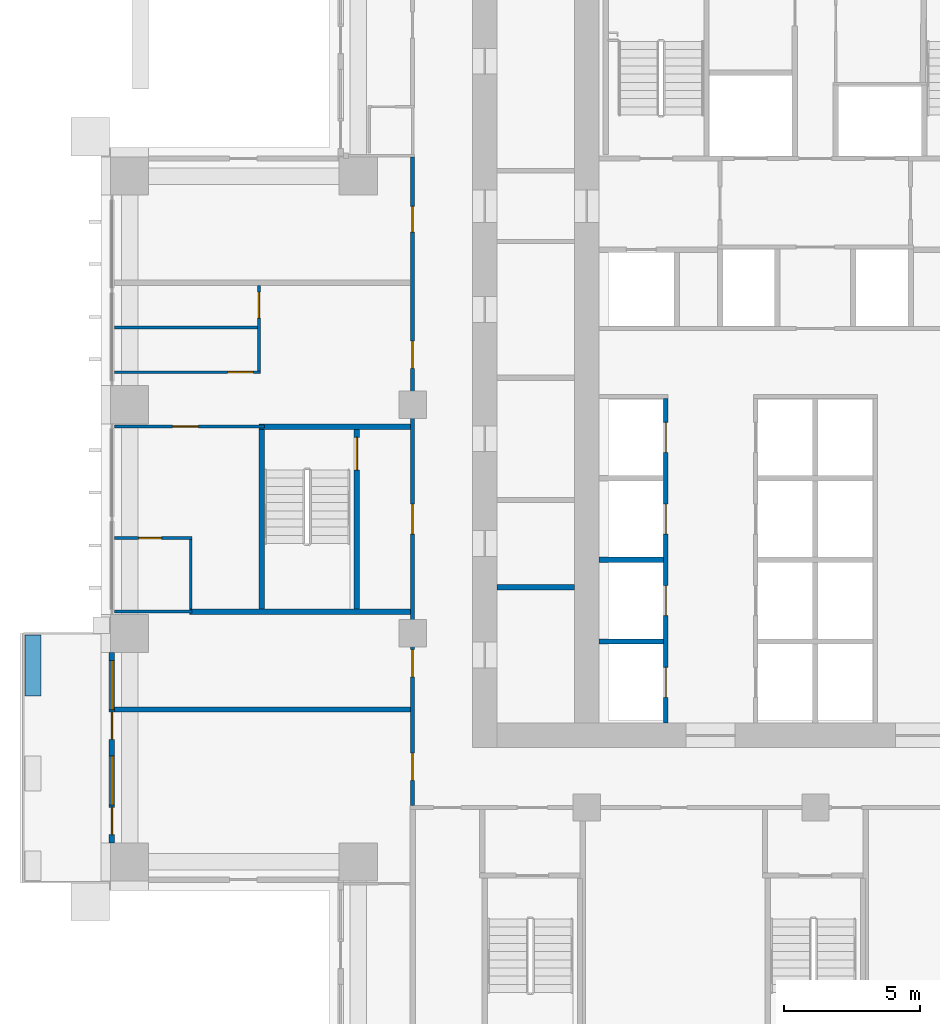
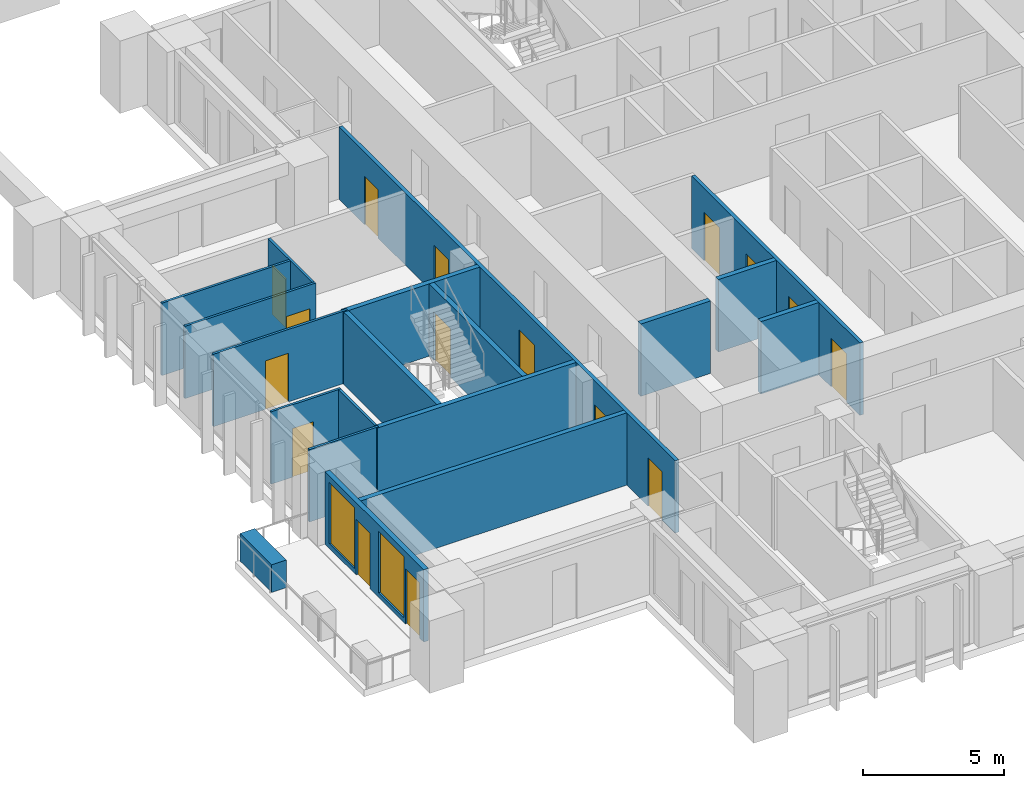
# One storey, part 8 of 18: 19 walls, 16 doors, 2 windows, 18 openings.
"""IFC4 building model written with IfcOpenShell, lengths in metres."""

import ifcopenshell
import ifcopenshell.guid

model = None  # the IFC model being written
_history = None  # IfcOwnerHistory: only IFC2X3 demands one
_inside = {}  # id of a spatial element -> (the spatial element, [elements in it])
_under = {}  # id of a project, library or spatial element -> (it, [spatial elements below it])
_declared = {}  # id of a project -> (the project, [libraries it declares])
_typed = {}  # id of a type object -> (the type object, [elements of that type])
_made_of = {}  # id of a material, layer set ... -> (it, [elements and type objects made of it])


def new_model(schema):
    """Start an empty IFC model of exactly this schema.

    Asked for "IFC4X3", IfcOpenShell would pick the latest addendum, in which some entities
    have other attributes; the version numbers below select the first issue.
    IFC2X3 requires an IfcOwnerHistory on every rooted entity: one is made here for all.
    """
    global model, _history
    if schema == "IFC4X3":
        model = ifcopenshell.file(schema_version=(4, 3, 0, 0))
    else:
        model = ifcopenshell.file(schema=schema)
    _inside.clear()
    _under.clear()
    _declared.clear()
    _typed.clear()
    _made_of.clear()
    _history = None
    if model.schema == "IFC2X3":
        org = make("IfcOrganization", Name="unknown")
        user = make(
            "IfcPersonAndOrganization",
            ThePerson=make("IfcPerson", FamilyName="unknown"),
            TheOrganization=org,
        )
        app = make(
            "IfcApplication",
            ApplicationDeveloper=org,
            Version="unknown",
            ApplicationFullName="unknown",
            ApplicationIdentifier="unknown",
        )
        _history = make(
            "IfcOwnerHistory",
            OwningUser=user,
            OwningApplication=app,
            ChangeAction="ADDED",
            CreationDate=0,
        )
    return model


def make(cls, **values):
    """One entity of the class cls with the attributes given. An attribute that is None is left unset."""
    return model.create_entity(
        cls, **{name: value for name, value in values.items() if value is not None}
    )


def rooted(cls, **values):
    """An entity with a GlobalId (a new one), such as an element, a storey or a relation."""
    return make(cls, GlobalId=ifcopenshell.guid.new(), OwnerHistory=_history, **values)


def si_unit(unit_type, name, prefix=None):
    """IfcSIUnit, for example si_unit("LENGTHUNIT", "METRE", prefix="MILLI")."""
    return make("IfcSIUnit", UnitType=unit_type, Prefix=prefix, Name=name)


def assignment(units):
    """IfcUnitAssignment: the units of a project."""
    return None if units is None else make("IfcUnitAssignment", Units=units)


def point(xyz):
    """IfcCartesianPoint."""
    return None if xyz is None else make("IfcCartesianPoint", Coordinates=xyz)


def direction(xyz):
    """IfcDirection."""
    return None if xyz is None else make("IfcDirection", DirectionRatios=xyz)


def frame(location, z_axis=None, x_axis=None):
    """IfcAxis2Placement3D, a coordinate frame: its origin and axes. An axis left out is left unset."""
    return make(
        "IfcAxis2Placement3D",
        Location=point(location),
        Axis=direction(z_axis),
        RefDirection=direction(x_axis),
    )


def frame_2d(location, x_axis=None):
    """IfcAxis2Placement2D, a coordinate frame in the plane: its origin and x axis."""
    return make(
        "IfcAxis2Placement2D", Location=point(location), RefDirection=direction(x_axis)
    )


def origin():
    """The frame at (0, 0, 0) with its axes left unset."""
    return frame((0.0, 0.0, 0.0))


def place(relative_to, where):
    """IfcLocalPlacement: puts the frame where relative to a parent placement (None: the world)."""
    return make(
        "IfcLocalPlacement", PlacementRelTo=relative_to, RelativePlacement=where
    )


def context(
    kind, dimensions, precision=None, world=None, true_north=None, identifier=None
):
    """IfcGeometricRepresentationContext, for example the 3D "Model" context."""
    return make(
        "IfcGeometricRepresentationContext",
        ContextIdentifier=identifier,
        ContextType=kind,
        CoordinateSpaceDimension=dimensions,
        Precision=precision,
        WorldCoordinateSystem=world,
        TrueNorth=true_north,
    )


def subcontext(parent, identifier, kind, view, scale=None):
    """IfcGeometricRepresentationSubContext, for example "Body" below "Model"."""
    return make(
        "IfcGeometricRepresentationSubContext",
        ContextIdentifier=identifier,
        ContextType=kind,
        ParentContext=parent,
        TargetScale=scale,
        TargetView=view,
    )


def project(units=None, contexts=None):
    """IfcProject with its units and contexts."""
    return rooted(
        "IfcProject",
        Name="project",
        RepresentationContexts=contexts,
        UnitsInContext=assignment(units),
    )


def spatial(cls, under=None, at=None, **own):
    """A site, building, storey or space (cls), placed at a placement, below another one or the project."""
    s = rooted(cls, ObjectPlacement=at, **own)
    if under is not None:
        _under.setdefault(under.id(), (under, []))[1].append(s)
    return s


def profile(cls, at=None, kind="AREA", **sizes):
    """A parametric profile (cls). Its sizes go by their IFC names, for example OverallWidth=200.0."""
    return make(cls, ProfileType=kind, Position=at, **sizes)


def rectangle(**sizes):
    """IfcRectangleProfileDef."""
    return profile("IfcRectangleProfileDef", **sizes)


def extrude(swept, where, along, depth):
    """IfcExtrudedAreaSolid: the profile swept, set in the frame where, extruded along a direction by depth."""
    return make(
        "IfcExtrudedAreaSolid",
        SweptArea=swept,
        Position=where,
        ExtrudedDirection=direction(along),
        Depth=depth,
    )


def shape(context_of_items, identifier, shape_type, items):
    """IfcShapeRepresentation: the items that make up one representation, for example the "Body"."""
    return make(
        "IfcShapeRepresentation",
        ContextOfItems=context_of_items,
        RepresentationIdentifier=identifier,
        RepresentationType=shape_type,
        Items=items,
    )


def material(Name=None, Category=None):
    """IfcMaterial."""
    return make("IfcMaterial", Name=Name, Category=Category)


def layer(
    of_material, thickness, ventilated=None, Name=None, Category=None, Priority=None
):
    """IfcMaterialLayer: one layer of a wall or slab, of a material (None: an air gap)."""
    return make(
        "IfcMaterialLayer",
        Material=of_material,
        LayerThickness=thickness,
        IsVentilated=ventilated,
        Name=Name,
        Category=Category,
        Priority=Priority,
    )


def layer_set(layers, Name=None):
    """IfcMaterialLayerSet."""
    return make("IfcMaterialLayerSet", MaterialLayers=layers, LayerSetName=Name)


def made_of(thing, what):
    """Note that an element or type object is made of a material, layer set ...; save() writes the relation."""
    if what is not None:
        _made_of.setdefault(what.id(), (what, []))[1].append(thing)
    return thing


def type_object(cls, material=None, **own):
    """A type object (cls), such as IfcWallType, which elements share."""
    return made_of(rooted(cls, **own), material)


def element(
    cls,
    number,
    at=None,
    inside=None,
    cuts=None,
    type_object=None,
    material=None,
    context=None,
    identifier="Body",
    shape_type=None,
    held_by="IfcProductDefinitionShape",
    body=None,
    shapes=None,
    **own,
):
    """One element of the class cls, such as IfcWall. Its Tag is "e" and its number.

    at: its placement. inside: the storey or other place that contains it. cuts: it is an
    opening in that element (IfcRelVoidsElement). A single representation is given by context,
    identifier, shape_type and body (its items); several are given by shapes. held_by: the class
    of the entity that holds the representations. save() writes the other relations.
    """
    e = rooted(cls, Tag="e%d" % number, ObjectPlacement=at, **own)
    if body is not None:
        shapes = [shape(context, identifier, shape_type, body)]
    if shapes is not None:
        e.Representation = make(held_by, Representations=shapes)
    if inside is not None:
        _inside.setdefault(inside.id(), (inside, []))[1].append(e)
    if cuts is not None:
        rooted(
            "IfcRelVoidsElement", RelatingBuildingElement=cuts, RelatedOpeningElement=e
        )
    if type_object is not None:
        _typed.setdefault(type_object.id(), (type_object, []))[1].append(e)
    return made_of(e, material)


def fill(opening, filler):
    """IfcRelFillsElement: the door or window that sits in an opening."""
    return rooted(
        "IfcRelFillsElement",
        RelatingOpeningElement=opening,
        RelatedBuildingElement=filler,
    )


def aggregate(whole, parts):
    """IfcRelAggregates: a whole, such as a stair, and the parts it consists of."""
    return rooted("IfcRelAggregates", RelatingObject=whole, RelatedObjects=parts)


def save(model, path):
    """Write the relations noted so far, then the file.

    IfcRelAggregates (storeys below a building ...), IfcRelContainedInSpatialStructure (elements
    in a storey), IfcRelDefinesByType, IfcRelAssociatesMaterial and IfcRelDeclares: one each for
    every whole, place, type object, material and project.
    """
    for whole, parts in _under.values():
        aggregate(whole, parts)
    for where, things in _inside.values():
        rooted(
            "IfcRelContainedInSpatialStructure",
            RelatedElements=things,
            RelatingStructure=where,
        )
    for kind, things in _typed.values():
        rooted("IfcRelDefinesByType", RelatedObjects=things, RelatingType=kind)
    for what, things in _made_of.values():
        rooted("IfcRelAssociatesMaterial", RelatedObjects=things, RelatingMaterial=what)
    for by, libraries in _declared.values():
        rooted("IfcRelDeclares", RelatingContext=by, RelatedDefinitions=libraries)
    model.write(path)


model = new_model("IFC4")

# Units and contexts
model_context = context("Model", 3, precision=1e-05, world=origin(), true_north=direction((0.0, 1.0)))
body_context = subcontext(model_context, "Body", "Model", "MODEL_VIEW")
ifc_project = project(units=[si_unit("LENGTHUNIT", "METRE"), si_unit("AREAUNIT", "SQUARE_METRE"), si_unit("VOLUMEUNIT", "CUBIC_METRE"), si_unit("PLANEANGLEUNIT", "RADIAN"), si_unit("MASSUNIT", "GRAM", prefix="KILO")], contexts=[model_context])

# Site, building, storey
site_placement = place(None, origin())
site = spatial("IfcSite", under=ifc_project, at=site_placement, CompositionType="ELEMENT")
building_placement = place(site_placement, origin())
building = spatial("IfcBuilding", under=site, at=building_placement, Name="Vermilion Ogive Tower", CompositionType="ELEMENT")
storey_placement = place(building_placement, frame((0.0, 0.0, 34.5)))
storey = spatial("IfcBuildingStorey", under=building, at=storey_placement, Name="L06", CompositionType="ELEMENT", Elevation=34.5)

# Wall
ifc_material_1 = material(Name="Gypsum board partition on steel studs", Category="steel")
ifc_layer_1 = layer(ifc_material_1, 0.10009765625)
ifc_layer_set_1 = layer_set([ifc_layer_1], Name="Partition 100 bath")
wall_type_1 = type_object("IfcWallType", Name="Partition 100 bath", PredefinedType="PARTITIONING", material=ifc_layer_set_1)
wall_1_placement = place(storey_placement, frame((-25.75, -3.39990234375, 0.0), z_axis=(0.0, 0.0, 1.0), x_axis=(1.0, 0.0, 0.0)))
element("IfcWall", 1, at=wall_1_placement, inside=storey, type_object=wall_type_1, Name="L06-W-W014", PredefinedType="PARTITIONING", context=body_context, shape_type="SweptSolid", body=[
    extrude(rectangle(XDim=2.85009765625, YDim=0.10009765625, at=frame_2d((1.425048828125, 0.0))), origin(), (0.0, 0.0, 1.0), 3.1298828125),
])

# Wall, opening, door
wall_2_placement = place(storey_placement, frame((-25.75, -0.699951171875, 0.0), z_axis=(0.0, 0.0, 1.0), x_axis=(1.0, 0.0, 0.0)))
wall_2 = element("IfcWall", 2, at=wall_2_placement, inside=storey, type_object=wall_type_1, Name="L06-W-W019", PredefinedType="PARTITIONING", context=body_context, shape_type="SweptSolid", body=[
    extrude(rectangle(XDim=2.85009765625, YDim=0.10009765625, at=frame_2d((1.425048828125, 0.0))), origin(), (0.0, 0.0, 1.0), 3.1298828125),
])
opening_1_placement = place(wall_2_placement, frame((0.875, 0.0, 0.0)))
opening_1 = element("IfcOpeningElement", 3, at=opening_1_placement, cuts=wall_2, Name="Opening D1G1008", PredefinedType="OPENING", context=body_context, shape_type="SweptSolid", body=[
    extrude(rectangle(XDim=0.85009765625, YDim=2.10009765625, at=frame_2d((0.425048828125, 1.050048828125))), frame((0.0, 0.06005859375, 0.0), z_axis=(0.0, -1.0, 0.0), x_axis=(1.0, 0.0, 0.0)), (0.0, 0.0, 1.0), 0.1201171875),
])
ifc_material_2 = material(Name="Timber door leaf", Category="wood")
door_type_1 = type_object("IfcDoorType", Name="Bath door 850 x 2100 FD30", OperationType="SINGLE_SWING_LEFT", PredefinedType="DOOR", material=ifc_material_2)
door_1_placement = place(opening_1_placement, origin())
door_1 = element("IfcDoor", 4, at=door_1_placement, inside=storey, type_object=door_type_1, Name="L06-D-D008", OperationType="SINGLE_SWING_RIGHT", OverallHeight=2.10009765625, OverallWidth=0.85009765625, PredefinedType="DOOR", context=body_context, shape_type="SweptSolid", body=[
    extrude(rectangle(XDim=0.85009765625, YDim=2.10009765625, at=frame_2d((0.425048828125, 1.050048828125))), frame((0.0, 0.02490234375, 0.0), z_axis=(0.0, -1.0, 0.0), x_axis=(1.0, 0.0, 0.0)), (0.0, 0.0, 1.0), 0.050048828125),
])
fill(opening_1, door_1)

# Wall
wall_3_placement = place(storey_placement, frame((-22.949951171875, -3.300048828125, 0.0), z_axis=(0.0, 0.0, 1.0), x_axis=(0.0, 1.0, 0.0)))
element("IfcWall", 5, at=wall_3_placement, inside=storey, type_object=wall_type_1, Name="L06-W-W035", PredefinedType="PARTITIONING", context=body_context, shape_type="SweptSolid", body=[
    extrude(rectangle(XDim=2.550048828125, YDim=0.10009765625, at=frame_2d((1.27490234375, 0.0))), origin(), (0.0, 0.0, 1.0), 3.1298828125),
])

# Wall, opening, door
ifc_material_3 = material(Name="Gypsum board partition on steel studs", Category="steel")
ifc_layer_2 = layer(ifc_material_3, 0.10009765625)
ifc_layer_set_2 = layer_set([ifc_layer_2], Name="Partition 100 inner")
wall_type_2 = type_object("IfcWallType", Name="Partition 100 inner", PredefinedType="PARTITIONING", material=ifc_layer_set_2)
wall_4_placement = place(storey_placement, frame((-25.75, 3.39990234375, 0.0), z_axis=(0.0, 0.0, 1.0), x_axis=(1.0, 0.0, 0.0)))
wall_4 = element("IfcWall", 6, at=wall_4_placement, inside=storey, type_object=wall_type_2, Name="L06-W-W021", PredefinedType="PARTITIONING", context=body_context, shape_type="SweptSolid", body=[
    extrude(rectangle(XDim=5.5, YDim=0.10009765625, at=frame_2d((2.75, 0.0))), origin(), (0.0, 0.0, 1.0), 3.1298828125),
])
opening_2_placement = place(wall_4_placement, frame((2.125, 0.0, 0.0)))
opening_2 = element("IfcOpeningElement", 7, at=opening_2_placement, cuts=wall_4, Name="Opening D1G1007", PredefinedType="OPENING", context=body_context, shape_type="SweptSolid", body=[
    extrude(rectangle(XDim=0.949951171875, YDim=2.10009765625, at=frame_2d((0.47509765625, 1.050048828125))), frame((0.0, 0.06005859375, 0.0), z_axis=(0.0, -1.0, 0.0), x_axis=(1.0, 0.0, 0.0)), (0.0, 0.0, 1.0), 0.1201171875),
])
ifc_material_4 = material(Name="Timber door leaf", Category="wood")
door_type_2 = type_object("IfcDoorType", Name="Inner door 950 x 2100 FD30", OperationType="SINGLE_SWING_LEFT", PredefinedType="DOOR", material=ifc_material_4)
door_2_placement = place(opening_2_placement, origin())
door_2 = element("IfcDoor", 8, at=door_2_placement, inside=storey, type_object=door_type_2, Name="L06-D-D007", OperationType="SINGLE_SWING_LEFT", OverallHeight=2.10009765625, OverallWidth=0.949951171875, PredefinedType="DOOR", context=body_context, shape_type="SweptSolid", body=[
    extrude(rectangle(XDim=0.949951171875, YDim=2.10009765625, at=frame_2d((0.47509765625, 1.050048828125))), frame((0.0, 0.02490234375, 0.0), z_axis=(0.0, -1.0, 0.0), x_axis=(1.0, 0.0, 0.0)), (0.0, 0.0, 1.0), 0.050048828125),
])
fill(opening_2, door_2)

wall_5_placement = place(storey_placement, frame((-25.75, 5.39990234375, 0.0), z_axis=(0.0, 0.0, 1.0), x_axis=(1.0, 0.0, 0.0)))
wall_5 = element("IfcWall", 9, at=wall_5_placement, inside=storey, type_object=wall_type_2, Name="L06-W-W025", PredefinedType="PARTITIONING", context=body_context, shape_type="SweptSolid", body=[
    extrude(rectangle(XDim=5.35009765625, YDim=0.10009765625, at=frame_2d((2.675048828125, 0.0))), origin(), (0.0, 0.0, 1.0), 3.1298828125),
])
opening_3_placement = place(wall_5_placement, frame((4.14990234375, 0.0, 0.0)))
opening_3 = element("IfcOpeningElement", 10, at=opening_3_placement, cuts=wall_5, Name="Opening D1G1004", PredefinedType="OPENING", context=body_context, shape_type="SweptSolid", body=[
    extrude(rectangle(XDim=0.949951171875, YDim=2.10009765625, at=frame_2d((0.47509765625, 1.050048828125))), frame((0.0, 0.06005859375, 0.0), z_axis=(0.0, -1.0, 0.0), x_axis=(1.0, 0.0, 0.0)), (0.0, 0.0, 1.0), 0.1201171875),
])
door_3_placement = place(opening_3_placement, origin())
door_3 = element("IfcDoor", 11, at=door_3_placement, inside=storey, type_object=door_type_2, Name="L06-D-D004", OperationType="SINGLE_SWING_LEFT", OverallHeight=2.10009765625, OverallWidth=0.949951171875, PredefinedType="DOOR", context=body_context, shape_type="SweptSolid", body=[
    extrude(rectangle(XDim=0.949951171875, YDim=2.10009765625, at=frame_2d((0.47509765625, 1.050048828125))), frame((0.0, 0.02490234375, 0.0), z_axis=(0.0, -1.0, 0.0), x_axis=(1.0, 0.0, 0.0)), (0.0, 0.0, 1.0), 0.050048828125),
])
fill(opening_3, door_3)

# Wall
wall_6_placement = place(storey_placement, frame((-25.75, 7.0400390625, 0.0), z_axis=(0.0, 0.0, 1.0), x_axis=(1.0, 0.0, 0.0)))
element("IfcWall", 12, at=wall_6_placement, inside=storey, type_object=wall_type_2, Name="L06-W-W026", PredefinedType="PARTITIONING", context=body_context, shape_type="SweptSolid", body=[
    extrude(rectangle(XDim=5.25, YDim=0.10009765625, at=frame_2d((2.625, 0.0))), origin(), (0.0, 0.0, 1.0), 3.1298828125),
])

# Wall, opening, door
wall_7_placement = place(storey_placement, frame((-20.449951171875, 5.449951171875, 0.0), z_axis=(0.0, 0.0, 1.0), x_axis=(0.0, 1.0, 0.0)))
wall_7 = element("IfcWall", 13, at=wall_7_placement, inside=storey, type_object=wall_type_2, Name="L06-W-W036", PredefinedType="PARTITIONING", context=body_context, shape_type="SweptSolid", body=[
    extrude(rectangle(XDim=3.130126953125, YDim=0.10009765625, at=frame_2d((1.56494140625, 0.0))), origin(), (0.0, 0.0, 1.0), 3.1298828125),
])
opening_4_placement = place(wall_7_placement, frame((1.93505859375, 0.0, 0.0)))
opening_4 = element("IfcOpeningElement", 14, at=opening_4_placement, cuts=wall_7, Name="Opening D1G1005", PredefinedType="OPENING", context=body_context, shape_type="SweptSolid", body=[
    extrude(rectangle(XDim=0.949951171875, YDim=2.10009765625, at=frame_2d((0.47509765625, 1.050048828125))), frame((0.0, 0.06005859375, 0.0), z_axis=(0.0, -1.0, 0.0), x_axis=(1.0, 0.0, 0.0)), (0.0, 0.0, 1.0), 0.1201171875),
])
door_4_placement = place(opening_4_placement, origin())
door_4 = element("IfcDoor", 15, at=door_4_placement, inside=storey, type_object=door_type_2, Name="L06-D-D005", OperationType="SINGLE_SWING_RIGHT", OverallHeight=2.10009765625, OverallWidth=0.949951171875, PredefinedType="DOOR", context=body_context, shape_type="SweptSolid", body=[
    extrude(rectangle(XDim=0.949951171875, YDim=2.10009765625, at=frame_2d((0.47509765625, 1.050048828125))), frame((0.0, 0.02490234375, 0.0), z_axis=(0.0, -1.0, 0.0), x_axis=(1.0, 0.0, 0.0)), (0.0, 0.0, 1.0), 0.050048828125),
])
fill(opening_4, door_4)

# Wall, openings, doors
ifc_material_5 = material(Name="Gypsum board partition on steel studs", Category="steel")
ifc_layer_3 = layer(ifc_material_5, 0.14990234375)
ifc_layer_set_3 = layer_set([ifc_layer_3], Name="Partition 150 corridor")
wall_type_3 = type_object("IfcWallType", Name="Partition 150 corridor", PredefinedType="PARTITIONING", material=ifc_layer_set_3)
wall_8_placement = place(storey_placement, frame((-14.800048828125, -10.52490234375, 0.0), z_axis=(0.0, 0.0, 1.0), x_axis=(0.0, 1.0, 0.0)))
wall_8 = element("IfcWall", 16, at=wall_8_placement, inside=storey, type_object=wall_type_3, Name="L06-W-W042", PredefinedType="PARTITIONING", context=body_context, shape_type="SweptSolid", body=[
    extrude(rectangle(XDim=23.824951171875, YDim=0.14990234375, at=frame_2d((11.91259765625, 0.0))), origin(), (0.0, 0.0, 1.0), 3.1298828125),
])
opening_5_placement = place(wall_8_placement, frame((0.9248046875, 0.0, 0.0)))
opening_5 = element("IfcOpeningElement", 17, at=opening_5_placement, cuts=wall_8, Name="Opening D1G1001", PredefinedType="OPENING", context=body_context, shape_type="SweptSolid", body=[
    extrude(rectangle(XDim=1.0, YDim=2.10009765625, at=frame_2d((0.5, 1.050048828125))), frame((0.0, 0.0849609375, 0.0), z_axis=(0.0, -1.0, 0.0), x_axis=(1.0, 0.0, 0.0)), (0.0, 0.0, 1.0), 0.169921875),
])
opening_6_placement = place(wall_8_placement, frame((16.06494140625, 0.0, 0.0)))
opening_6 = element("IfcOpeningElement", 18, at=opening_6_placement, cuts=wall_8, Name="Opening D1G1006", PredefinedType="OPENING", context=body_context, shape_type="SweptSolid", body=[
    extrude(rectangle(XDim=1.0, YDim=2.10009765625, at=frame_2d((0.5, 1.050048828125))), frame((0.0, 0.0849609375, 0.0), z_axis=(0.0, -1.0, 0.0), x_axis=(1.0, 0.0, 0.0)), (0.0, 0.0, 1.0), 0.169921875),
])
opening_7_placement = place(wall_8_placement, frame((21.06494140625, 0.0, 0.0)))
opening_7 = element("IfcOpeningElement", 19, at=opening_7_placement, cuts=wall_8, Name="Opening D1G1009", PredefinedType="OPENING", context=body_context, shape_type="SweptSolid", body=[
    extrude(rectangle(XDim=0.949951171875, YDim=2.10009765625, at=frame_2d((0.47509765625, 1.050048828125))), frame((0.0, 0.0849609375, 0.0), z_axis=(0.0, -1.0, 0.0), x_axis=(1.0, 0.0, 0.0)), (0.0, 0.0, 1.0), 0.169921875),
])
opening_8_placement = place(wall_8_placement, frame((9.974853515625, 0.0, 0.0)))
opening_8 = element("IfcOpeningElement", 20, at=opening_8_placement, cuts=wall_8, Name="Opening D1G1031", PredefinedType="OPENING", context=body_context, shape_type="SweptSolid", body=[
    extrude(rectangle(XDim=1.10009765625, YDim=2.10009765625, at=frame_2d((0.550048828125, 1.050048828125))), frame((0.0, 0.0849609375, 0.0), z_axis=(0.0, -1.0, 0.0), x_axis=(1.0, 0.0, 0.0)), (0.0, 0.0, 1.0), 0.169921875),
])
opening_9_placement = place(wall_8_placement, frame((4.724853515625, 0.0, 0.0)))
opening_9 = element("IfcOpeningElement", 21, at=opening_9_placement, cuts=wall_8, Name="Opening D1G1035", PredefinedType="OPENING", context=body_context, shape_type="SweptSolid", body=[
    extrude(rectangle(XDim=1.0, YDim=2.10009765625, at=frame_2d((0.5, 1.050048828125))), frame((0.0, 0.0849609375, 0.0), z_axis=(0.0, -1.0, 0.0), x_axis=(1.0, 0.0, 0.0)), (0.0, 0.0, 1.0), 0.169921875),
])
ifc_material_6 = material(Name="Timber door leaf", Category="wood")
door_type_3 = type_object("IfcDoorType", Name="Stair door 1100 x 2100 FD60S", OperationType="SINGLE_SWING_LEFT", PredefinedType="DOOR", material=ifc_material_6)
door_5_placement = place(opening_8_placement, origin())
door_5 = element("IfcDoor", 22, at=door_5_placement, inside=storey, type_object=door_type_3, Name="L06-D-D031", OperationType="SINGLE_SWING_RIGHT", OverallHeight=2.10009765625, OverallWidth=1.10009765625, PredefinedType="DOOR", context=body_context, shape_type="SweptSolid", body=[
    extrude(rectangle(XDim=1.10009765625, YDim=2.10009765625, at=frame_2d((0.550048828125, 1.050048828125))), frame((0.0, 0.02490234375, 0.0), z_axis=(0.0, -1.0, 0.0), x_axis=(1.0, 0.0, 0.0)), (0.0, 0.0, 1.0), 0.050048828125),
])
fill(opening_8, door_5)
ifc_material_7 = material(Name="Timber door leaf", Category="wood")
door_type_4 = type_object("IfcDoorType", Name="Unit door 1000 x 2100 FD30S", OperationType="SINGLE_SWING_LEFT", PredefinedType="DOOR", material=ifc_material_7)
door_6_placement = place(opening_5_placement, origin())
door_6 = element("IfcDoor", 23, at=door_6_placement, inside=storey, type_object=door_type_4, Name="L06-D-D001", OperationType="SINGLE_SWING_LEFT", OverallHeight=2.10009765625, OverallWidth=1.0, PredefinedType="DOOR", context=body_context, shape_type="SweptSolid", body=[
    extrude(rectangle(XDim=1.0, YDim=2.10009765625, at=frame_2d((0.5, 1.050048828125))), frame((0.0, 0.02490234375, 0.0), z_axis=(0.0, -1.0, 0.0), x_axis=(1.0, 0.0, 0.0)), (0.0, 0.0, 1.0), 0.050048828125),
])
fill(opening_5, door_6)
door_7_placement = place(opening_6_placement, origin())
door_7 = element("IfcDoor", 24, at=door_7_placement, inside=storey, type_object=door_type_4, Name="L06-D-D006", OperationType="SINGLE_SWING_LEFT", OverallHeight=2.10009765625, OverallWidth=1.0, PredefinedType="DOOR", context=body_context, shape_type="SweptSolid", body=[
    extrude(rectangle(XDim=1.0, YDim=2.10009765625, at=frame_2d((0.5, 1.050048828125))), frame((0.0, 0.02490234375, 0.0), z_axis=(0.0, -1.0, 0.0), x_axis=(1.0, 0.0, 0.0)), (0.0, 0.0, 1.0), 0.050048828125),
])
fill(opening_6, door_7)
door_8_placement = place(opening_9_placement, origin())
door_8 = element("IfcDoor", 25, at=door_8_placement, inside=storey, type_object=door_type_4, Name="L06-D-D035", OperationType="SINGLE_SWING_LEFT", OverallHeight=2.10009765625, OverallWidth=1.0, PredefinedType="DOOR", context=body_context, shape_type="SweptSolid", body=[
    extrude(rectangle(XDim=1.0, YDim=2.10009765625, at=frame_2d((0.5, 1.050048828125))), frame((0.0, 0.02490234375, 0.0), z_axis=(0.0, -1.0, 0.0), x_axis=(1.0, 0.0, 0.0)), (0.0, 0.0, 1.0), 0.050048828125),
])
fill(opening_9, door_8)
ifc_material_8 = material(Name="Timber door leaf", Category="wood")
door_type_5 = type_object("IfcDoorType", Name="Unit door 950 x 2100 FD30S", OperationType="SINGLE_SWING_LEFT", PredefinedType="DOOR", material=ifc_material_8)
door_9_placement = place(opening_7_placement, origin())
door_9 = element("IfcDoor", 26, at=door_9_placement, inside=storey, type_object=door_type_5, Name="L06-D-D009", OperationType="SINGLE_SWING_RIGHT", OverallHeight=2.10009765625, OverallWidth=0.949951171875, PredefinedType="DOOR", context=body_context, shape_type="SweptSolid", body=[
    extrude(rectangle(XDim=0.949951171875, YDim=2.10009765625, at=frame_2d((0.47509765625, 1.050048828125))), frame((0.0, 0.02490234375, 0.0), z_axis=(0.0, -1.0, 0.0), x_axis=(1.0, 0.0, 0.0)), (0.0, 0.0, 1.0), 0.050048828125),
])
fill(opening_7, door_9)

wall_9_placement = place(storey_placement, frame((-5.5, -7.4990234375, 0.0), z_axis=(0.0, 0.0, 1.0), x_axis=(0.0, 1.0, 0.0)))
wall_9 = element("IfcWall", 27, at=wall_9_placement, inside=storey, type_object=wall_type_3, Name="L06-CK-W-W022", PredefinedType="PARTITIONING", context=body_context, shape_type="SweptSolid", body=[
    extrude(rectangle(XDim=11.924072265625, YDim=0.14990234375, at=frame_2d((5.9619140625, 0.0))), origin(), (0.0, 0.0, 1.0), 3.1298828125),
])
opening_10_placement = place(wall_9_placement, frame((0.948974609375, 0.0, 0.0)))
opening_10 = element("IfcOpeningElement", 28, at=opening_10_placement, cuts=wall_9, Name="Opening DAA010", PredefinedType="OPENING", context=body_context, shape_type="SweptSolid", body=[
    extrude(rectangle(XDim=1.10009765625, YDim=2.10009765625, at=frame_2d((0.550048828125, 1.050048828125))), frame((0.0, 0.0849609375, 0.0), z_axis=(0.0, -1.0, 0.0), x_axis=(1.0, 0.0, 0.0)), (0.0, 0.0, 1.0), 0.169921875),
])
opening_11_placement = place(wall_9_placement, frame((3.948974609375, 0.0, 0.0)))
opening_11 = element("IfcOpeningElement", 29, at=opening_11_placement, cuts=wall_9, Name="Opening DAA013", PredefinedType="OPENING", context=body_context, shape_type="SweptSolid", body=[
    extrude(rectangle(XDim=1.10009765625, YDim=2.10009765625, at=frame_2d((0.550048828125, 1.050048828125))), frame((0.0, 0.0849609375, 0.0), z_axis=(0.0, -1.0, 0.0), x_axis=(1.0, 0.0, 0.0)), (0.0, 0.0, 1.0), 0.169921875),
])
opening_12_placement = place(wall_9_placement, frame((6.948974609375, 0.0, 0.0)))
opening_12 = element("IfcOpeningElement", 30, at=opening_12_placement, cuts=wall_9, Name="Opening DAA014", PredefinedType="OPENING", context=body_context, shape_type="SweptSolid", body=[
    extrude(rectangle(XDim=1.10009765625, YDim=2.10009765625, at=frame_2d((0.550048828125, 1.050048828125))), frame((0.0, 0.0849609375, 0.0), z_axis=(0.0, -1.0, 0.0), x_axis=(1.0, 0.0, 0.0)), (0.0, 0.0, 1.0), 0.169921875),
])
opening_13_placement = place(wall_9_placement, frame((9.948974609375, 0.0, 0.0)))
opening_13 = element("IfcOpeningElement", 31, at=opening_13_placement, cuts=wall_9, Name="Opening DAA015", PredefinedType="OPENING", context=body_context, shape_type="SweptSolid", body=[
    extrude(rectangle(XDim=1.10009765625, YDim=2.10009765625, at=frame_2d((0.550048828125, 1.050048828125))), frame((0.0, 0.0849609375, 0.0), z_axis=(0.0, -1.0, 0.0), x_axis=(1.0, 0.0, 0.0)), (0.0, 0.0, 1.0), 0.169921875),
])
ifc_material_9 = material(Name="Stainless steel", Category="steel")
door_type_6 = type_object("IfcDoorType", Name="Lift landing door 1100 x 2100", OperationType="SLIDING_TO_LEFT", PredefinedType="DOOR", material=ifc_material_9)
door_10_placement = place(opening_10_placement, origin())
door_10 = element("IfcDoor", 32, at=door_10_placement, inside=storey, type_object=door_type_6, Name="L06-CK-D-D001", OperationType="SLIDING_TO_RIGHT", OverallHeight=2.10009765625, OverallWidth=1.10009765625, PredefinedType="DOOR", context=body_context, shape_type="SweptSolid", body=[
    extrude(rectangle(XDim=1.10009765625, YDim=2.10009765625, at=frame_2d((0.550048828125, 1.050048828125))), frame((0.0, 0.02490234375, 0.0), z_axis=(0.0, -1.0, 0.0), x_axis=(1.0, 0.0, 0.0)), (0.0, 0.0, 1.0), 0.050048828125),
])
fill(opening_10, door_10)
door_11_placement = place(opening_11_placement, origin())
door_11 = element("IfcDoor", 33, at=door_11_placement, inside=storey, type_object=door_type_6, Name="L06-CK-D-D002", OperationType="SLIDING_TO_RIGHT", OverallHeight=2.10009765625, OverallWidth=1.10009765625, PredefinedType="DOOR", context=body_context, shape_type="SweptSolid", body=[
    extrude(rectangle(XDim=1.10009765625, YDim=2.10009765625, at=frame_2d((0.550048828125, 1.050048828125))), frame((0.0, 0.02490234375, 0.0), z_axis=(0.0, -1.0, 0.0), x_axis=(1.0, 0.0, 0.0)), (0.0, 0.0, 1.0), 0.050048828125),
])
fill(opening_11, door_11)
door_12_placement = place(opening_12_placement, origin())
door_12 = element("IfcDoor", 34, at=door_12_placement, inside=storey, type_object=door_type_6, Name="L06-CK-D-D003", OperationType="SLIDING_TO_RIGHT", OverallHeight=2.10009765625, OverallWidth=1.10009765625, PredefinedType="DOOR", context=body_context, shape_type="SweptSolid", body=[
    extrude(rectangle(XDim=1.10009765625, YDim=2.10009765625, at=frame_2d((0.550048828125, 1.050048828125))), frame((0.0, 0.02490234375, 0.0), z_axis=(0.0, -1.0, 0.0), x_axis=(1.0, 0.0, 0.0)), (0.0, 0.0, 1.0), 0.050048828125),
])
fill(opening_12, door_12)
door_13_placement = place(opening_13_placement, origin())
door_13 = element("IfcDoor", 35, at=door_13_placement, inside=storey, type_object=door_type_6, Name="L06-CK-D-D004", OperationType="SLIDING_TO_RIGHT", OverallHeight=2.10009765625, OverallWidth=1.10009765625, PredefinedType="DOOR", context=body_context, shape_type="SweptSolid", body=[
    extrude(rectangle(XDim=1.10009765625, YDim=2.10009765625, at=frame_2d((0.550048828125, 1.050048828125))), frame((0.0, 0.02490234375, 0.0), z_axis=(0.0, -1.0, 0.0), x_axis=(1.0, 0.0, 0.0)), (0.0, 0.0, 1.0), 0.050048828125),
])
fill(opening_13, door_13)

# Walls
ifc_material_10 = material(Name="Gypsum board partition on steel studs", Category="steel")
ifc_layer_4 = layer(ifc_material_10, 0.199951171875)
ifc_layer_set_4 = layer_set([ifc_layer_4], Name="Partition 200 party")
wall_type_4 = type_object("IfcWallType", Name="Partition 200 party", PredefinedType="PARTITIONING", material=ifc_layer_set_4)
wall_10_placement = place(storey_placement, frame((-25.75, -7.0, 0.0), z_axis=(0.0, 0.0, 1.0), x_axis=(1.0, 0.0, 0.0)))
element("IfcWall", 36, at=wall_10_placement, inside=storey, type_object=wall_type_4, Name="L06-W-W012", PredefinedType="PARTITIONING", context=body_context, shape_type="SweptSolid", body=[
    extrude(rectangle(XDim=10.875, YDim=0.199951171875, at=frame_2d((5.4375, 0.0))), origin(), (0.0, 0.0, 1.0), 3.1298828125),
])
for number, where, z_axis, x_axis, name in (
    (37, (-7.948974609375, -4.5, 0.0), (0.0, 0.0, 1.0), (1.0, 0.0, 0.0), "L06-CK-W-W001"),
    (38, (-7.948974609375, -1.5, 0.0), (0.0, 0.0, 1.0), (1.0, 0.0, 0.0), "L06-CK-W-W004"),
):
    element("IfcWall", number, at=place(storey_placement, frame(where, z_axis=z_axis, x_axis=x_axis)), inside=storey, type_object=wall_type_4, Name=name, PredefinedType="PARTITIONING", context=body_context, shape_type="SweptSolid", body=[
        extrude(rectangle(XDim=2.3740234375, YDim=0.199951171875, at=frame_2d((1.18701171875, 0.0))), origin(), (0.0, 0.0, 1.0), 3.1298828125),
    ])
wall_11_placement = place(storey_placement, frame((-11.698974609375, -2.5, 0.0), z_axis=(0.0, 0.0, 1.0), x_axis=(1.0, 0.0, 0.0)))
element("IfcWall", 39, at=wall_11_placement, inside=storey, type_object=wall_type_4, Name="L06-CKW-W-W001", PredefinedType="PARTITIONING", context=body_context, shape_type="SweptSolid", body=[
    extrude(rectangle(XDim=2.847900390625, YDim=0.199951171875, at=frame_2d((1.423828125, 0.0))), origin(), (0.0, 0.0, 1.0), 3.1298828125),
])
ifc_material_11 = material(Name="Concrete B60", Category="concrete")
ifc_layer_5 = layer(ifc_material_11, 0.199951171875)
ifc_layer_set_5 = layer_set([ifc_layer_5], Name="Stair shaft wall 200 Concrete B60")
wall_type_5 = type_object("IfcWallType", Name="Stair shaft wall 200 Concrete B60", PredefinedType="SOLIDWALL", material=ifc_layer_set_5)
wall_12_placement = place(storey_placement, frame((-23.0, -3.39990234375, 0.0), z_axis=(0.0, 0.0, 1.0), x_axis=(1.0, 0.0, 0.0)))
element("IfcWall", 40, at=wall_12_placement, inside=storey, type_object=wall_type_5, Name="L06-W-W015", PredefinedType="SOLIDWALL", context=body_context, shape_type="SweptSolid", body=[
    extrude(rectangle(XDim=8.125, YDim=0.199951171875, at=frame_2d((4.0625, 0.0))), origin(), (0.0, 0.0, 1.0), 3.1298828125),
])
wall_13_placement = place(storey_placement, frame((-20.449951171875, 3.39990234375, 0.0), z_axis=(0.0, 0.0, 1.0), x_axis=(1.0, 0.0, 0.0)))
element("IfcWall", 41, at=wall_13_placement, inside=storey, type_object=wall_type_5, Name="L06-W-W022", PredefinedType="SOLIDWALL", context=body_context, shape_type="SweptSolid", body=[
    extrude(rectangle(XDim=5.574951171875, YDim=0.199951171875, at=frame_2d((2.78759765625, 0.0))), origin(), (0.0, 0.0, 1.0), 3.1298828125),
])
wall_14_placement = place(storey_placement, frame((-20.35009765625, -3.300048828125, 0.0), z_axis=(0.0, 0.0, 1.0), x_axis=(0.0, 1.0, 0.0)))
element("IfcWall", 42, at=wall_14_placement, inside=storey, type_object=wall_type_5, Name="L06-W-W037", PredefinedType="SOLIDWALL", context=body_context, shape_type="SweptSolid", body=[
    extrude(rectangle(XDim=6.60009765625, YDim=0.199951171875, at=frame_2d((3.300048828125, 0.0))), origin(), (0.0, 0.0, 1.0), 3.1298828125),
])

# Wall, opening, door
wall_15_placement = place(storey_placement, frame((-16.85009765625, -3.300048828125, 0.0), z_axis=(0.0, 0.0, 1.0), x_axis=(0.0, 1.0, 0.0)))
wall_15 = element("IfcWall", 43, at=wall_15_placement, inside=storey, type_object=wall_type_5, Name="L06-W-W039", PredefinedType="SOLIDWALL", context=body_context, shape_type="SweptSolid", body=[
    extrude(rectangle(XDim=6.60009765625, YDim=0.199951171875, at=frame_2d((3.300048828125, 0.0))), origin(), (0.0, 0.0, 1.0), 3.1298828125),
])
opening_14_placement = place(wall_15_placement, frame((5.10009765625, 0.0, 0.0)))
opening_14 = element("IfcOpeningElement", 44, at=opening_14_placement, cuts=wall_15, Name="Opening D1G1032", PredefinedType="OPENING", context=body_context, shape_type="SweptSolid", body=[
    extrude(rectangle(XDim=1.199951171875, YDim=2.10009765625, at=frame_2d((0.60009765625, 1.050048828125))), frame((0.0, 0.10986328125, 0.0), z_axis=(0.0, -1.0, 0.0), x_axis=(1.0, 0.0, 0.0)), (0.0, 0.0, 1.0), 0.219970703125),
])
ifc_material_12 = material(Name="Timber door leaf", Category="wood")
door_type_7 = type_object("IfcDoorType", Name="Stair door 1200 x 2100 FD60S", OperationType="SINGLE_SWING_LEFT", PredefinedType="DOOR", material=ifc_material_12)
door_14_placement = place(opening_14_placement, origin())
door_14 = element("IfcDoor", 45, at=door_14_placement, inside=storey, type_object=door_type_7, Name="L06-D-D032", OperationType="SINGLE_SWING_RIGHT", OverallHeight=2.10009765625, OverallWidth=1.199951171875, PredefinedType="DOOR", context=body_context, shape_type="SweptSolid", body=[
    extrude(rectangle(XDim=1.199951171875, YDim=2.10009765625, at=frame_2d((0.60009765625, 1.050048828125))), frame((0.0, 0.02490234375, 0.0), z_axis=(0.0, -1.0, 0.0), x_axis=(1.0, 0.0, 0.0)), (0.0, 0.0, 1.0), 0.050048828125),
])
fill(opening_14, door_14)

# Wall
ifc_material_13 = material(Name="Concrete B40", Category="concrete")
ifc_layer_6 = layer(ifc_material_13, 0.60009765625)
ifc_layer_set_6 = layer_set([ifc_layer_6], Name="Structural planter")
wall_type_6 = type_object("IfcWallType", Name="Structural planter", PredefinedType="USERDEFINED", material=ifc_layer_set_6)
wall_16_placement = place(storey_placement, frame((-28.75, -4.260009765625, -0.0400390625), z_axis=(0.0, 0.0, 1.0), x_axis=(0.0, -1.0, 0.0)))
element("IfcWall", 46, at=wall_16_placement, inside=storey, type_object=wall_type_6, Name="Planter W03A1", ObjectType="PLANTER", PredefinedType="USERDEFINED", context=body_context, shape_type="SweptSolid", body=[
    extrude(rectangle(XDim=2.239990234375, YDim=0.60009765625, at=frame_2d((1.1201171875, 0.0))), origin(), (0.0, 0.0, 1.0), 1.199951171875),
])

# Wall, openings, doors, windows
ifc_material_14 = material(Name="Aluminium window wall framing", Category="aluminium")
ifc_layer_7 = layer(ifc_material_14, 0.199951171875)
ifc_layer_set_7 = layer_set([ifc_layer_7], Name="Window wall")
wall_type_7 = type_object("IfcWallType", Name="Window wall", PredefinedType="STANDARD", material=ifc_layer_set_7)
wall_17_placement = place(storey_placement, frame((-25.85009765625, -4.89990234375, 0.0), z_axis=(0.0, 0.0, 1.0), x_axis=(0.0, -1.0, 0.0)))
wall_17 = element("IfcWall", 47, at=wall_17_placement, inside=storey, type_object=wall_type_7, Name="Window wall W3", PredefinedType="STANDARD", context=body_context, shape_type="SweptSolid", body=[
    extrude(rectangle(XDim=7.0, YDim=0.199951171875, at=frame_2d((3.5, 0.0))), origin(), (0.0, 0.0, 1.0), 3.1298828125),
])
opening_15_placement = place(wall_17_placement, frame((3.800048828125, 0.0, 0.199951171875)))
opening_15 = element("IfcOpeningElement", 48, at=opening_15_placement, cuts=wall_17, Name="Opening W1-W97", PredefinedType="OPENING", context=body_context, shape_type="SweptSolid", body=[
    extrude(rectangle(XDim=1.800048828125, YDim=2.64990234375, at=frame_2d((0.89990234375, 1.324951171875))), frame((0.0, 0.10986328125, 0.0), z_axis=(0.0, -1.0, 0.0), x_axis=(1.0, 0.0, 0.0)), (0.0, 0.0, 1.0), 0.219970703125),
])
opening_16_placement = place(wall_17_placement, frame((5.699951171875, 0.0, 0.0)))
opening_16 = element("IfcOpeningElement", 49, at=opening_16_placement, cuts=wall_17, Name="Opening D1-W97", PredefinedType="OPENING", context=body_context, shape_type="SweptSolid", body=[
    extrude(rectangle(XDim=1.0, YDim=2.39990234375, at=frame_2d((0.5, 1.199951171875))), frame((0.0, 0.10986328125, 0.0), z_axis=(0.0, -1.0, 0.0), x_axis=(1.0, 0.0, 0.0)), (0.0, 0.0, 1.0), 0.219970703125),
])
opening_17_placement = place(wall_17_placement, frame((0.300048828125, 0.0, 0.199951171875)))
opening_17 = element("IfcOpeningElement", 50, at=opening_17_placement, cuts=wall_17, Name="Opening W1-W98", PredefinedType="OPENING", context=body_context, shape_type="SweptSolid", body=[
    extrude(rectangle(XDim=1.800048828125, YDim=2.64990234375, at=frame_2d((0.89990234375, 1.324951171875))), frame((0.0, 0.10986328125, 0.0), z_axis=(0.0, -1.0, 0.0), x_axis=(1.0, 0.0, 0.0)), (0.0, 0.0, 1.0), 0.219970703125),
])
opening_18_placement = place(wall_17_placement, frame((2.199951171875, 0.0, 0.0)))
opening_18 = element("IfcOpeningElement", 51, at=opening_18_placement, cuts=wall_17, Name="Opening D1-W98", PredefinedType="OPENING", context=body_context, shape_type="SweptSolid", body=[
    extrude(rectangle(XDim=1.0, YDim=2.39990234375, at=frame_2d((0.5, 1.199951171875))), frame((0.0, 0.10986328125, 0.0), z_axis=(0.0, -1.0, 0.0), x_axis=(1.0, 0.0, 0.0)), (0.0, 0.0, 1.0), 0.219970703125),
])
ifc_material_15 = material(Name="Aluminium framed glazed door", Category="aluminium")
door_type_8 = type_object("IfcDoorType", Name="Balcony door D1", OperationType="SINGLE_SWING_LEFT", PredefinedType="DOOR", material=ifc_material_15)
door_15_placement = place(opening_16_placement, origin())
door_15 = element("IfcDoor", 52, at=door_15_placement, inside=storey, type_object=door_type_8, Name="Balcony door W97", OperationType="SINGLE_SWING_LEFT", OverallHeight=2.39990234375, OverallWidth=1.0, PredefinedType="DOOR", context=body_context, shape_type="SweptSolid", body=[
    extrude(rectangle(XDim=1.0, YDim=2.39990234375, at=frame_2d((0.5, 1.199951171875))), frame((0.0, 0.02490234375, 0.0), z_axis=(0.0, -1.0, 0.0), x_axis=(1.0, 0.0, 0.0)), (0.0, 0.0, 1.0), 0.050048828125),
])
fill(opening_16, door_15)
door_16_placement = place(opening_18_placement, origin())
door_16 = element("IfcDoor", 53, at=door_16_placement, inside=storey, type_object=door_type_8, Name="Balcony door W98", OperationType="SINGLE_SWING_LEFT", OverallHeight=2.39990234375, OverallWidth=1.0, PredefinedType="DOOR", context=body_context, shape_type="SweptSolid", body=[
    extrude(rectangle(XDim=1.0, YDim=2.39990234375, at=frame_2d((0.5, 1.199951171875))), frame((0.0, 0.02490234375, 0.0), z_axis=(0.0, -1.0, 0.0), x_axis=(1.0, 0.0, 0.0)), (0.0, 0.0, 1.0), 0.050048828125),
])
fill(opening_18, door_16)
ifc_material_16 = material(Name="Aluminium framed double glazing", Category="aluminium")
window_type = type_object("IfcWindowType", Name="Guest window W1", PartitioningType="SINGLE_PANEL", PredefinedType="WINDOW", material=ifc_material_16)
window_1_placement = place(opening_15_placement, origin())
window_1 = element("IfcWindow", 54, at=window_1_placement, inside=storey, type_object=window_type, Name="Window W97", OverallHeight=2.64990234375, OverallWidth=1.800048828125, PartitioningType="SINGLE_PANEL", PredefinedType="WINDOW", context=body_context, shape_type="SweptSolid", body=[
    extrude(rectangle(XDim=1.800048828125, YDim=2.64990234375, at=frame_2d((0.89990234375, 1.324951171875))), frame((0.0, 0.030029296875, 0.0), z_axis=(0.0, -1.0, 0.0), x_axis=(1.0, 0.0, 0.0)), (0.0, 0.0, 1.0), 0.06005859375),
])
fill(opening_15, window_1)
window_2_placement = place(opening_17_placement, origin())
window_2 = element("IfcWindow", 55, at=window_2_placement, inside=storey, type_object=window_type, Name="Window W98", OverallHeight=2.64990234375, OverallWidth=1.800048828125, PartitioningType="SINGLE_PANEL", PredefinedType="WINDOW", context=body_context, shape_type="SweptSolid", body=[
    extrude(rectangle(XDim=1.800048828125, YDim=2.64990234375, at=frame_2d((0.89990234375, 1.324951171875))), frame((0.0, 0.030029296875, 0.0), z_axis=(0.0, -1.0, 0.0), x_axis=(1.0, 0.0, 0.0)), (0.0, 0.0, 1.0), 0.06005859375),
])
fill(opening_17, window_2)

save(model, "model.ifc")
